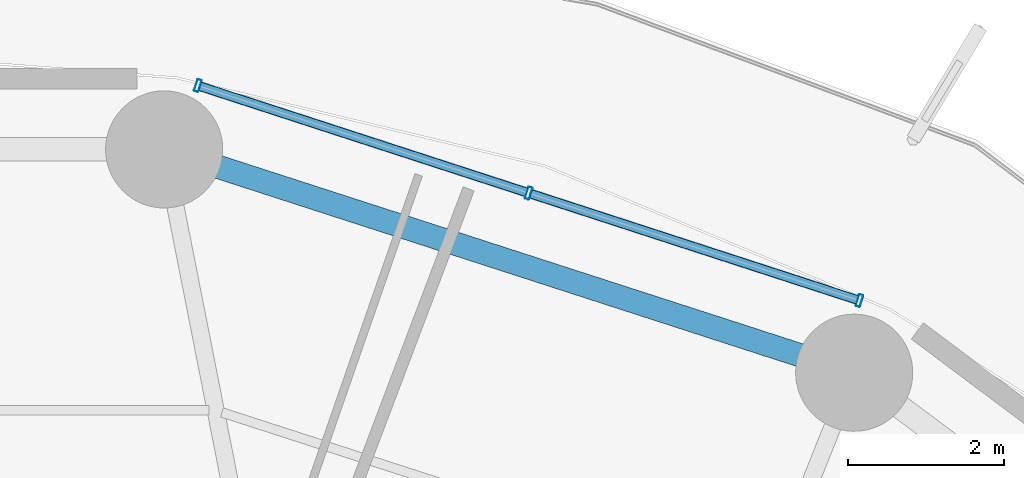
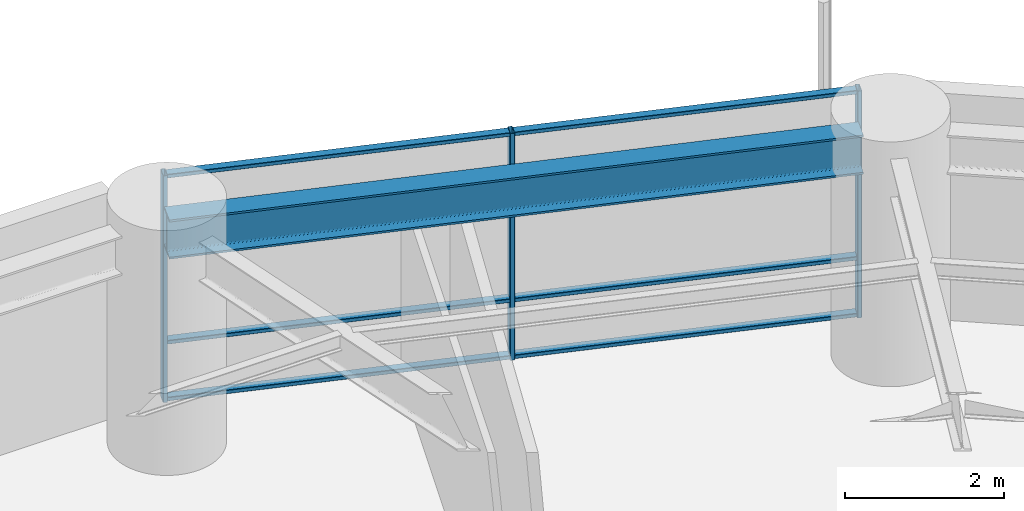
# One storey, part 20 of 31: 9 members, 1 beam, 1 element without a shape of its own.
"""IFC4 building model written with IfcOpenShell, lengths in metres."""

from ifc_helpers import new_model, si_unit, direction, frame, origin, origin_2d, place, context, subcontext, project, spatial, hollow_rectangle, i_section, extrude, material, layer, layer_set, material_profile, profile_set, type_object, element, aggregate, save


model = new_model("IFC4")

# Units and contexts
model_context = context("Model", 3, precision=1e-05, world=origin(), true_north=direction((0.0, 1.0)))
body_context = subcontext(model_context, "Body", "Model", "MODEL_VIEW")
ifc_project = project(units=[si_unit("LENGTHUNIT", "METRE"), si_unit("AREAUNIT", "SQUARE_METRE"), si_unit("VOLUMEUNIT", "CUBIC_METRE"), si_unit("PLANEANGLEUNIT", "RADIAN"), si_unit("MASSUNIT", "GRAM", prefix="KILO")], contexts=[model_context])

# Site, building, storey
site_placement = place(None, origin())
site = spatial("IfcSite", under=ifc_project, at=site_placement, CompositionType="ELEMENT")
building_placement = place(site_placement, origin())
building = spatial("IfcBuilding", under=site, at=building_placement, Name="Kelanora Arch Commons", CompositionType="ELEMENT")
storey_placement = place(building_placement, frame((0.0, 0.0, 63.75)))
storey = spatial("IfcBuildingStorey", under=building, at=storey_placement, Name="L16", CompositionType="ELEMENT", Elevation=63.75)

# Beam
ifc_material_1 = material(Name="Steel S355", Category="steel")
ifc_material_profile_1 = material_profile(ifc_material_1, i_section(OverallWidth=0.300048828125, OverallDepth=0.60009765625, WebThickness=0.015380859375, FlangeThickness=0.030029296875, FilletRadius=0.027099609375, at=origin_2d()), Name="HEB600")
ifc_profile_set_1 = profile_set([ifc_material_profile_1], Name="Steel S355")
beam_type = type_object("IfcBeamType", Name="BM-SPN-Z1", PredefinedType="SPANDREL", material=ifc_profile_set_1)
beam_placement = place(storey_placement, frame((87.178466796875, 78.970947265625, 3.18994140625), z_axis=(-0.951414770924, 0.307912217469, 0.0), x_axis=(-0.307912217469, -0.951414770924, 0.0)))
element("IfcBeam", 1, at=beam_placement, inside=storey, type_object=beam_type, Name="Perimeter Spandrel Beam BS-06 L16", PredefinedType="SPANDREL", context=body_context, shape_type="SweptSolid", body=[
    extrude(i_section(OverallWidth=0.300048828125, OverallDepth=0.60009765625, WebThickness=0.015380859375, FlangeThickness=0.030029296875, FilletRadius=0.027099609375, at=origin_2d()), origin(), (0.0, 0.0, 1.0), 8.908935546875),
])

# Curtain wall, members
ifc_material_2 = material(Name="Terracotta ceramic-fritted low-E glass and aluminium", Category="masonry")
ifc_layer = layer(ifc_material_2, 0.159912109375)
ifc_layer_set = layer_set([ifc_layer], Name="Terracotta ceramic-fritted low-E glass and aluminium")
curtain_wall_type = type_object("IfcCurtainWallType", Name="CW-SYS-01", PredefinedType="NOTDEFINED", material=ifc_layer_set)
curtain_wall_placement = place(storey_placement, origin())
curtain_wall = element("IfcCurtainWall", 2, at=curtain_wall_placement, inside=storey, type_object=curtain_wall_type, Name="Unitised Curtain Wall L16-B03", PredefinedType="NOTDEFINED")
ifc_material_3 = material(Name="Powder-coated aluminium terracotta", Category="masonry")
ifc_material_profile_2 = material_profile(ifc_material_3, hollow_rectangle(XDim=0.159912109375, YDim=0.06005859375, WallThickness=0.0048828125, InnerFilletRadius=0.0048828125, OuterFilletRadius=0.010009765625, at=origin_2d()), Name="CWM160x60")
ifc_profile_set_2 = profile_set([ifc_material_profile_2], Name="Powder-coated aluminium terracotta")
member_type_1 = type_object("IfcMemberType", Name="CWM-STD", PredefinedType="MULLION", material=ifc_profile_set_2)
member_1_placement = place(storey_placement, frame((87.607666015625, 79.778076171875, 0.0), z_axis=(0.0, 0.0, 1.0), x_axis=(-0.30905758454, -0.951043326793, 0.0)))
member_1 = element("IfcMember", 3, at=member_1_placement, type_object=member_type_1, Name="CW-01 mullion 1", PredefinedType="MULLION", context=body_context, shape_type="SweptSolid", body=[
    extrude(hollow_rectangle(XDim=0.159912109375, YDim=0.06005859375, WallThickness=0.0048828125, InnerFilletRadius=0.0048828125, OuterFilletRadius=0.010009765625, at=origin_2d()), origin(), (0.0, 0.0, 1.0), 3.47509765625),
])
member_2_placement = place(storey_placement, frame((83.37109375, 81.15478515625, 0.0), z_axis=(0.0, 0.0, 1.0), x_axis=(-0.30905758454, -0.951043326793, 0.0)))
member_2 = element("IfcMember", 4, at=member_2_placement, type_object=member_type_1, Name="CW-01 mullion 2", PredefinedType="MULLION", context=body_context, shape_type="SweptSolid", body=[
    extrude(hollow_rectangle(XDim=0.159912109375, YDim=0.06005859375, WallThickness=0.0048828125, InnerFilletRadius=0.0048828125, OuterFilletRadius=0.010009765625, at=origin_2d()), origin(), (0.0, 0.0, 1.0), 3.47509765625),
])
member_3_placement = place(storey_placement, frame((79.134521484375, 82.53173828125, 0.0), z_axis=(0.0, 0.0, 1.0), x_axis=(-0.30905758454, -0.951043326793, 0.0)))
member_3 = element("IfcMember", 5, at=member_3_placement, type_object=member_type_1, Name="CW-01 mullion 3", PredefinedType="MULLION", context=body_context, shape_type="SweptSolid", body=[
    extrude(hollow_rectangle(XDim=0.159912109375, YDim=0.06005859375, WallThickness=0.0048828125, InnerFilletRadius=0.0048828125, OuterFilletRadius=0.010009765625, at=origin_2d()), origin(), (0.0, 0.0, 1.0), 3.47509765625),
])
ifc_material_profile_3 = material_profile(ifc_material_3, hollow_rectangle(XDim=0.1201171875, YDim=0.06005859375, WallThickness=0.0048828125, InnerFilletRadius=0.0048828125, OuterFilletRadius=0.010009765625, at=origin_2d()), Name="CWT120x60")
ifc_profile_set_3 = profile_set([ifc_material_profile_3], Name="Powder-coated aluminium terracotta")
member_type_2 = type_object("IfcMemberType", Name="CWT-STD", PredefinedType="USERDEFINED", material=ifc_profile_set_3)
member_4_placement = place(storey_placement, frame((87.5791015625, 79.787353515625, 0.030029296875), z_axis=(-0.951045091182, 0.309052155047, 0.0), x_axis=(-0.309052155047, -0.951045091182, 0.0)))
member_4 = element("IfcMember", 6, at=member_4_placement, type_object=member_type_2, Name="CW-01 transom 1.1", ObjectType="TRANSOM", PredefinedType="USERDEFINED", context=body_context, shape_type="SweptSolid", body=[
    extrude(hollow_rectangle(XDim=0.1201171875, YDim=0.06005859375, WallThickness=0.0048828125, InnerFilletRadius=0.0048828125, OuterFilletRadius=0.010009765625, at=origin_2d()), origin(), (0.0, 0.0, 1.0), 4.39453125),
])
member_5_placement = place(storey_placement, frame((87.5791015625, 79.787353515625, 0.89990234375), z_axis=(-0.951045091182, 0.309052155047, 0.0), x_axis=(-0.309052155047, -0.951045091182, 0.0)))
member_5 = element("IfcMember", 7, at=member_5_placement, type_object=member_type_2, Name="CW-01 transom 1.2", ObjectType="TRANSOM", PredefinedType="USERDEFINED", context=body_context, shape_type="SweptSolid", body=[
    extrude(hollow_rectangle(XDim=0.1201171875, YDim=0.06005859375, WallThickness=0.0048828125, InnerFilletRadius=0.0048828125, OuterFilletRadius=0.010009765625, at=origin_2d()), origin(), (0.0, 0.0, 1.0), 4.39453125),
])
member_6_placement = place(storey_placement, frame((87.5791015625, 79.787353515625, 3.445068359375), z_axis=(-0.951045091182, 0.309052155047, 0.0), x_axis=(-0.309052155047, -0.951045091182, 0.0)))
member_6 = element("IfcMember", 8, at=member_6_placement, type_object=member_type_2, Name="CW-01 transom 1.3", ObjectType="TRANSOM", PredefinedType="USERDEFINED", context=body_context, shape_type="SweptSolid", body=[
    extrude(hollow_rectangle(XDim=0.1201171875, YDim=0.06005859375, WallThickness=0.0048828125, InnerFilletRadius=0.0048828125, OuterFilletRadius=0.010009765625, at=origin_2d()), origin(), (0.0, 0.0, 1.0), 4.39453125),
])
member_7_placement = place(storey_placement, frame((83.342529296875, 81.1640625, 0.030029296875), z_axis=(-0.951028761285, 0.309102402464, 0.0), x_axis=(-0.309102402464, -0.951028761285, 0.0)))
member_7 = element("IfcMember", 9, at=member_7_placement, type_object=member_type_2, Name="CW-01 transom 2.1", ObjectType="TRANSOM", PredefinedType="USERDEFINED", context=body_context, shape_type="SweptSolid", body=[
    extrude(hollow_rectangle(XDim=0.1201171875, YDim=0.06005859375, WallThickness=0.0048828125, InnerFilletRadius=0.0048828125, OuterFilletRadius=0.010009765625, at=origin_2d()), origin(), (0.0, 0.0, 1.0), 4.394775390625),
])
member_8_placement = place(storey_placement, frame((83.342529296875, 81.1640625, 0.89990234375), z_axis=(-0.951028761285, 0.309102402464, 0.0), x_axis=(-0.309102402464, -0.951028761285, 0.0)))
member_8 = element("IfcMember", 10, at=member_8_placement, type_object=member_type_2, Name="CW-01 transom 2.2", ObjectType="TRANSOM", PredefinedType="USERDEFINED", context=body_context, shape_type="SweptSolid", body=[
    extrude(hollow_rectangle(XDim=0.1201171875, YDim=0.06005859375, WallThickness=0.0048828125, InnerFilletRadius=0.0048828125, OuterFilletRadius=0.010009765625, at=origin_2d()), origin(), (0.0, 0.0, 1.0), 4.394775390625),
])
member_9_placement = place(storey_placement, frame((83.342529296875, 81.1640625, 3.445068359375), z_axis=(-0.951028761285, 0.309102402464, 0.0), x_axis=(-0.309102402464, -0.951028761285, 0.0)))
member_9 = element("IfcMember", 11, at=member_9_placement, type_object=member_type_2, Name="CW-01 transom 2.3", ObjectType="TRANSOM", PredefinedType="USERDEFINED", context=body_context, shape_type="SweptSolid", body=[
    extrude(hollow_rectangle(XDim=0.1201171875, YDim=0.06005859375, WallThickness=0.0048828125, InnerFilletRadius=0.0048828125, OuterFilletRadius=0.010009765625, at=origin_2d()), origin(), (0.0, 0.0, 1.0), 4.394775390625),
])
aggregate(curtain_wall, [member_1, member_2, member_3, member_4, member_5, member_6, member_7, member_8, member_9])

save(model, "model.ifc")
